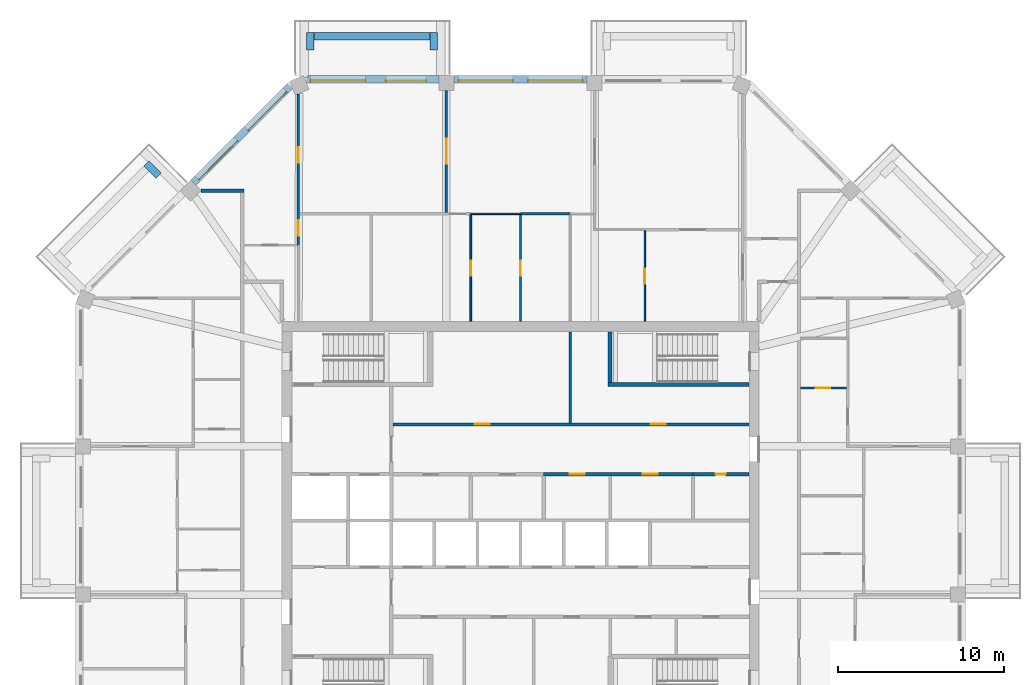
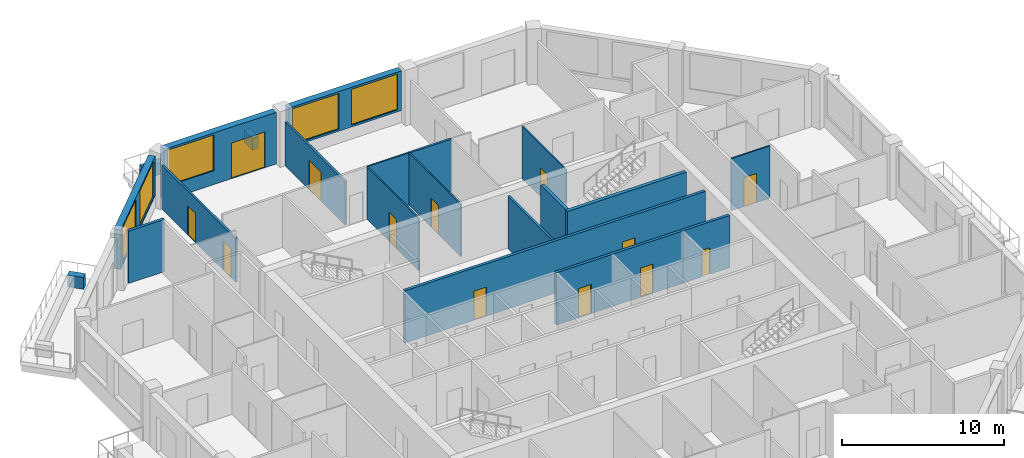
# One storey, part 8 of 12: 22 walls, 13 doors, 5 windows, 18 openings.
"""IFC4 building model written with IfcOpenShell, lengths in metres."""

from ifc_helpers import new_model, si_unit, direction, frame, frame_2d, origin, place, context, subcontext, project, spatial, rectangle, extrude, material, layer, layer_set, type_object, element, fill, save


model = new_model("IFC4")

# Units and contexts
model_context = context("Model", 3, precision=1e-05, world=origin(), true_north=direction((0.0, 1.0)))
body_context = subcontext(model_context, "Body", "Model", "MODEL_VIEW")
ifc_project = project(units=[si_unit("LENGTHUNIT", "METRE"), si_unit("AREAUNIT", "SQUARE_METRE"), si_unit("VOLUMEUNIT", "CUBIC_METRE"), si_unit("PLANEANGLEUNIT", "RADIAN"), si_unit("MASSUNIT", "GRAM", prefix="KILO")], contexts=[model_context])

# Site, building, storey
site_placement = place(None, origin())
site = spatial("IfcSite", under=ifc_project, at=site_placement, CompositionType="ELEMENT")
building_placement = place(site_placement, origin())
building = spatial("IfcBuilding", under=site, at=building_placement, Name="Msitu Wima Residences", CompositionType="ELEMENT")
storey_placement = place(building_placement, frame((0.0, 0.0, 222.300048828125)))
storey = spatial("IfcBuildingStorey", under=building, at=storey_placement, Name="L51", CompositionType="ELEMENT", Elevation=222.300048828125)

# Walls
ifc_material_1 = material(Name="Facing brick")
ifc_layer_1 = layer(ifc_material_1, 0.06494140625, Name="Facing brick")
ifc_material_2 = material(Name="Concrete C40/50", Category="concrete")
ifc_layer_2 = layer(ifc_material_2, 0.156005859375, Name="Concrete C40/50")
ifc_material_3 = material(Name="Waterproofing membrane")
ifc_layer_3 = layer(ifc_material_3, 0.00390625, Name="Waterproofing membrane")
ifc_material_4 = material(Name="Planting soil and planting")
ifc_layer_4 = layer(ifc_material_4, 0.22509765625, Name="Planting soil and planting")
ifc_layer_set_1 = layer_set([ifc_layer_1, ifc_layer_2, ifc_layer_3, ifc_layer_4], Name="Concrete C40/50")
wall_type_1 = type_object("IfcWallType", Name="Balcony planter PLANTER PL450", PredefinedType="USERDEFINED", material=ifc_layer_set_1)
wall_1_placement = place(storey_placement, frame((-5.468505859375, 29.22509765625, 0.0), z_axis=(0.0, 0.0, 1.0), x_axis=(-1.0, 0.0, 0.0)))
element("IfcWall", 1, at=wall_1_placement, inside=storey, type_object=wall_type_1, Name="Balcony planter N2 L51", ObjectType="PLANTER", PredefinedType="USERDEFINED", context=body_context, shape_type="SweptSolid", body=[
    extrude(rectangle(XDim=6.9873046875, YDim=0.449951171875, at=frame_2d((3.49365234375, 0.0))), origin(), (0.0, 0.0, 1.0), 0.89990234375),
])
for number, where, z_axis, x_axis, name in (
    (2, (-5.24365234375, 28.39990234375, 0.0), (0.0, 0.0, 1.0), (0.0, 1.0, 0.0), "Balcony planter N2 L51"),
    (3, (-12.680908203125, 28.39990234375, 0.0), (0.0, 0.0, 1.0), (0.0, 1.0, 0.0), "Balcony planter N2 L51"),
    (4, (-21.829833984375, 20.804443359375, 0.0), (0.0, 0.0, 1.0), (-0.707106781187, 0.707106781187, 0.0), "Balcony planter NW1 L51"),
):
    element("IfcWall", number, at=place(storey_placement, frame(where, z_axis=z_axis, x_axis=x_axis)), inside=storey, type_object=wall_type_1, Name=name, ObjectType="PLANTER", PredefinedType="USERDEFINED", context=body_context, shape_type="SweptSolid", body=[
        extrude(rectangle(XDim=1.050048828125, YDim=0.449951171875, at=frame_2d((0.52490234375, 0.0))), origin(), (0.0, 0.0, 1.0), 0.89990234375),
    ])

# Wall, openings, windows
ifc_material_5 = material(Name="Brick (red buff mix)", Category="masonry")
ifc_layer_5 = layer(ifc_material_5, 0.449951171875)
ifc_layer_set_2 = layer_set([ifc_layer_5], Name="Brick (red buff mix)")
wall_type_2 = type_object("IfcWallType", Name="Brick infill wall BW450", PredefinedType="SOLIDWALL", material=ifc_layer_set_2)
wall_2_placement = place(storey_placement, frame((4.0185546875, 26.625, 0.89990234375), z_axis=(0.0, 0.0, 1.0), x_axis=(-1.0, 0.0, 0.0)))
wall_2 = element("IfcWall", 5, at=wall_2_placement, inside=storey, type_object=wall_type_2, Name="Brick infill wall L51 N1", PredefinedType="SOLIDWALL", context=body_context, shape_type="SweptSolid", body=[
    extrude(rectangle(XDim=8.037109375, YDim=0.449951171875, at=frame_2d((4.0185546875, 0.0))), origin(), (0.0, 0.0, 1.0), 3.0),
])
opening_1_placement = place(wall_2_placement, frame((0.2685546875, 0.0, 0.14990234375)))
opening_1 = element("IfcOpeningElement", 6, at=opening_1_placement, cuts=wall_2, Name="Opening W50-51.007", PredefinedType="OPENING", context=body_context, shape_type="SweptSolid", body=[
    extrude(rectangle(XDim=3.300048828125, YDim=2.699951171875, at=frame_2d((1.64990234375, 1.35009765625))), frame((0.0, 0.23486328125, 0.0), z_axis=(0.0, -1.0, 0.0), x_axis=(1.0, 0.0, 0.0)), (0.0, 0.0, 1.0), 0.469970703125),
])
opening_2_placement = place(wall_2_placement, frame((4.46875, 0.0, 0.14990234375)))
opening_2 = element("IfcOpeningElement", 7, at=opening_2_placement, cuts=wall_2, Name="Opening W50-51.008", PredefinedType="OPENING", context=body_context, shape_type="SweptSolid", body=[
    extrude(rectangle(XDim=3.300048828125, YDim=2.699951171875, at=frame_2d((1.64990234375, 1.35009765625))), frame((0.0, 0.23486328125, 0.0), z_axis=(0.0, -1.0, 0.0), x_axis=(1.0, 0.0, 0.0)), (0.0, 0.0, 1.0), 0.469970703125),
])
ifc_material_6 = material(Name="Anodised aluminium, bronze finish, clear low-emissivity double glazing", Category="aluminium")
window_type = type_object("IfcWindowType", Name="Window W3300x2700", PartitioningType="DOUBLE_PANEL_VERTICAL", PredefinedType="WINDOW", material=ifc_material_6)
window_1_placement = place(opening_1_placement, origin())
window_1 = element("IfcWindow", 8, at=window_1_placement, inside=storey, type_object=window_type, Name="Window L51 N1.1", OverallHeight=2.699951171875, OverallWidth=3.300048828125, PartitioningType="SINGLE_PANEL", PredefinedType="WINDOW", context=body_context, shape_type="SweptSolid", body=[
    extrude(rectangle(XDim=3.300048828125, YDim=2.699951171875, at=frame_2d((1.64990234375, 1.35009765625))), frame((0.0, 0.135009765625, 0.0), z_axis=(0.0, -1.0, 0.0), x_axis=(1.0, 0.0, 0.0)), (0.0, 0.0, 1.0), 0.06005859375),
])
fill(opening_1, window_1)
window_2_placement = place(opening_2_placement, origin())
window_2 = element("IfcWindow", 9, at=window_2_placement, inside=storey, type_object=window_type, Name="Window L51 N1.2", OverallHeight=2.699951171875, OverallWidth=3.300048828125, PartitioningType="SINGLE_PANEL", PredefinedType="WINDOW", context=body_context, shape_type="SweptSolid", body=[
    extrude(rectangle(XDim=3.300048828125, YDim=2.699951171875, at=frame_2d((1.64990234375, 1.35009765625))), frame((0.0, 0.135009765625, 0.0), z_axis=(0.0, -1.0, 0.0), x_axis=(1.0, 0.0, 0.0)), (0.0, 0.0, 1.0), 0.06005859375),
])
fill(opening_2, window_2)

# Wall, openings, door, window
wall_3_placement = place(storey_placement, frame((-4.918701171875, 26.625, 0.0), z_axis=(0.0, 0.0, 1.0), x_axis=(-1.0, 0.0, 0.0)))
wall_3 = element("IfcWall", 10, at=wall_3_placement, inside=storey, type_object=wall_type_2, Name="Brick infill wall L51 N2", PredefinedType="SOLIDWALL", context=body_context, shape_type="SweptSolid", body=[
    extrude(rectangle(XDim=8.0, YDim=0.449951171875, at=frame_2d((4.0, 0.0))), origin(), (0.0, 0.0, 1.0), 3.89990234375),
])
opening_3_placement = place(wall_3_placement, frame((0.800048828125, 0.0, 0.0)))
opening_3 = element("IfcOpeningElement", 11, at=opening_3_placement, cuts=wall_3, Name="Opening D50-51.003", PredefinedType="OPENING", context=body_context, shape_type="SweptSolid", body=[
    extrude(rectangle(XDim=2.39990234375, YDim=2.699951171875, at=frame_2d((1.199951171875, 1.35009765625))), frame((0.0, 0.23486328125, 0.0), z_axis=(0.0, -1.0, 0.0), x_axis=(1.0, 0.0, 0.0)), (0.0, 0.0, 1.0), 0.469970703125),
])
opening_4_placement = place(wall_3_placement, frame((4.4501953125, 0.0, 1.050048828125)))
opening_4 = element("IfcOpeningElement", 12, at=opening_4_placement, cuts=wall_3, Name="Opening W50-51.009", PredefinedType="OPENING", context=body_context, shape_type="SweptSolid", body=[
    extrude(rectangle(XDim=3.300048828125, YDim=2.699951171875, at=frame_2d((1.64990234375, 1.35009765625))), frame((0.0, 0.23486328125, 0.0), z_axis=(0.0, -1.0, 0.0), x_axis=(1.0, 0.0, 0.0)), (0.0, 0.0, 1.0), 0.469970703125),
])
door_type_1 = type_object("IfcDoorType", Name="Balcony door D2400x2700", OperationType="SLIDING_TO_LEFT", PredefinedType="DOOR", material=ifc_material_6)
door_1_placement = place(opening_3_placement, origin())
door_1 = element("IfcDoor", 13, at=door_1_placement, inside=storey, type_object=door_type_1, Name="Balcony door L51 N2", OperationType="SINGLE_SWING_LEFT", OverallHeight=2.699951171875, OverallWidth=2.39990234375, PredefinedType="DOOR", context=body_context, shape_type="SweptSolid", body=[
    extrude(rectangle(XDim=2.39990234375, YDim=2.699951171875, at=frame_2d((1.199951171875, 1.35009765625))), frame((0.0, 0.1298828125, 0.0), z_axis=(0.0, -1.0, 0.0), x_axis=(1.0, 0.0, 0.0)), (0.0, 0.0, 1.0), 0.050048828125),
])
fill(opening_3, door_1)
window_3_placement = place(opening_4_placement, origin())
window_3 = element("IfcWindow", 14, at=window_3_placement, inside=storey, type_object=window_type, Name="Window L51 N2.2", OverallHeight=2.699951171875, OverallWidth=3.300048828125, PartitioningType="SINGLE_PANEL", PredefinedType="WINDOW", context=body_context, shape_type="SweptSolid", body=[
    extrude(rectangle(XDim=3.300048828125, YDim=2.699951171875, at=frame_2d((1.64990234375, 1.35009765625))), frame((0.0, 0.135009765625, 0.0), z_axis=(0.0, -1.0, 0.0), x_axis=(1.0, 0.0, 0.0)), (0.0, 0.0, 1.0), 0.06005859375),
])
fill(opening_4, window_3)

# Wall, openings, windows
wall_4_placement = place(storey_placement, frame((-13.909423828125, 26.214599609375, 0.89990234375), z_axis=(0.0, 0.0, 1.0), x_axis=(-0.707106781187, -0.707106781187, 0.0)))
wall_4 = element("IfcWall", 15, at=wall_4_placement, inside=storey, type_object=wall_type_2, Name="Brick infill wall L51 NW0", PredefinedType="SOLIDWALL", context=body_context, shape_type="SweptSolid", body=[
    extrude(rectangle(XDim=8.251220703125, YDim=0.449951171875, at=frame_2d((4.12548828125, 0.0))), origin(), (0.0, 0.0, 1.0), 3.0),
])
opening_5_placement = place(wall_4_placement, frame((0.37548828125, 0.0, 0.14990234375)))
opening_5 = element("IfcOpeningElement", 16, at=opening_5_placement, cuts=wall_4, Name="Opening W50-51.013", PredefinedType="OPENING", context=body_context, shape_type="SweptSolid", body=[
    extrude(rectangle(XDim=3.300048828125, YDim=2.699951171875, at=frame_2d((1.64990234375, 1.35009765625))), frame((0.0, 0.23486328125, 0.0), z_axis=(0.0, -1.0, 0.0), x_axis=(1.0, 0.0, 0.0)), (0.0, 0.0, 1.0), 0.469970703125),
])
opening_6_placement = place(wall_4_placement, frame((4.57568359375, 0.0, 0.14990234375)))
opening_6 = element("IfcOpeningElement", 17, at=opening_6_placement, cuts=wall_4, Name="Opening W50-51.014", PredefinedType="OPENING", context=body_context, shape_type="SweptSolid", body=[
    extrude(rectangle(XDim=3.300048828125, YDim=2.699951171875, at=frame_2d((1.64990234375, 1.35009765625))), frame((0.0, 0.23486328125, 0.0), z_axis=(0.0, -1.0, 0.0), x_axis=(1.0, 0.0, 0.0)), (0.0, 0.0, 1.0), 0.469970703125),
])
window_4_placement = place(opening_5_placement, origin())
window_4 = element("IfcWindow", 18, at=window_4_placement, inside=storey, type_object=window_type, Name="Window L51 NW0.1", OverallHeight=2.699951171875, OverallWidth=3.300048828125, PartitioningType="SINGLE_PANEL", PredefinedType="WINDOW", context=body_context, shape_type="SweptSolid", body=[
    extrude(rectangle(XDim=3.300048828125, YDim=2.699951171875, at=frame_2d((1.64990234375, 1.35009765625))), frame((0.0, 0.135009765625, 0.0), z_axis=(0.0, -1.0, 0.0), x_axis=(1.0, 0.0, 0.0)), (0.0, 0.0, 1.0), 0.06005859375),
])
fill(opening_5, window_4)
window_5_placement = place(opening_6_placement, origin())
window_5 = element("IfcWindow", 19, at=window_5_placement, inside=storey, type_object=window_type, Name="Window L51 NW0.2", OverallHeight=2.699951171875, OverallWidth=3.300048828125, PartitioningType="SINGLE_PANEL", PredefinedType="WINDOW", context=body_context, shape_type="SweptSolid", body=[
    extrude(rectangle(XDim=3.300048828125, YDim=2.699951171875, at=frame_2d((1.64990234375, 1.35009765625))), frame((0.0, 0.135009765625, 0.0), z_axis=(0.0, -1.0, 0.0), x_axis=(1.0, 0.0, 0.0)), (0.0, 0.0, 1.0), 0.06005859375),
])
fill(opening_6, window_5)

# Wall, openings, doors
ifc_material_7 = material(Name="Plaster")
ifc_layer_6 = layer(ifc_material_7, 0.011962890625, Name="Plaster")
ifc_material_8 = material(Name="Concrete blockwork", Category="masonry")
ifc_layer_7 = layer(ifc_material_8, 0.176025390625, Name="Concrete blockwork")
ifc_layer_8 = layer(ifc_material_7, 0.011962890625, Name="Plaster")
ifc_layer_set_3 = layer_set([ifc_layer_6, ifc_layer_7, ifc_layer_8], Name="Concrete blockwork")
wall_type_3 = type_object("IfcWallType", Name="Corridor wall FW200", PredefinedType="PARTITIONING", material=ifc_layer_set_3)
wall_5_placement = place(storey_placement, frame((-7.699951171875, 5.800048828125, 0.0), z_axis=(0.0, 0.0, 1.0), x_axis=(1.0, 0.0, 0.0)))
wall_5 = element("IfcWall", 20, at=wall_5_placement, inside=storey, type_object=wall_type_3, Name="Corridor wall", PredefinedType="PARTITIONING", context=body_context, shape_type="SweptSolid", body=[
    extrude(rectangle(XDim=21.469970703125, YDim=0.199951171875, at=frame_2d((10.73486328125, 0.0))), origin(), (0.0, 0.0, 1.0), 3.949951171875),
])
opening_7_placement = place(wall_5_placement, frame((4.949951171875, 0.0, 0.0)))
opening_7 = element("IfcOpeningElement", 21, at=opening_7_placement, cuts=wall_5, Name="Opening D50-51.065", PredefinedType="OPENING", context=body_context, shape_type="SweptSolid", body=[
    extrude(rectangle(XDim=0.89990234375, YDim=2.199951171875, at=frame_2d((0.449951171875, 1.10009765625))), frame((0.0, 0.10986328125, 0.0), z_axis=(0.0, -1.0, 0.0), x_axis=(1.0, 0.0, 0.0)), (0.0, 0.0, 1.0), 0.219970703125),
])
opening_8_placement = place(wall_5_placement, frame((15.550048828125, 0.0, 0.0)))
opening_8 = element("IfcOpeningElement", 22, at=opening_8_placement, cuts=wall_5, Name="Opening D50-51.066", PredefinedType="OPENING", context=body_context, shape_type="SweptSolid", body=[
    extrude(rectangle(XDim=0.89990234375, YDim=2.199951171875, at=frame_2d((0.449951171875, 1.10009765625))), frame((0.0, 0.10986328125, 0.0), z_axis=(0.0, -1.0, 0.0), x_axis=(1.0, 0.0, 0.0)), (0.0, 0.0, 1.0), 0.219970703125),
])
ifc_material_9 = material(Name="Timber flush door", Category="wood")
door_type_2 = type_object("IfcDoorType", Name="Service door D05 900x2200", OperationType="SINGLE_SWING_LEFT", PredefinedType="DOOR", material=ifc_material_9)
door_2_placement = place(opening_7_placement, origin())
door_2 = element("IfcDoor", 23, at=door_2_placement, inside=storey, type_object=door_type_2, Name="Service door", OperationType="SINGLE_SWING_LEFT", OverallHeight=2.199951171875, OverallWidth=0.89990234375, PredefinedType="DOOR", context=body_context, shape_type="SweptSolid", body=[
    extrude(rectangle(XDim=0.89990234375, YDim=2.199951171875, at=frame_2d((0.449951171875, 1.10009765625))), frame((0.0, 0.02490234375, 0.0), z_axis=(0.0, -1.0, 0.0), x_axis=(1.0, 0.0, 0.0)), (0.0, 0.0, 1.0), 0.050048828125),
])
fill(opening_7, door_2)
door_3_placement = place(opening_8_placement, origin())
door_3 = element("IfcDoor", 24, at=door_3_placement, inside=storey, type_object=door_type_2, Name="Service door", OperationType="SINGLE_SWING_RIGHT", OverallHeight=2.199951171875, OverallWidth=0.89990234375, PredefinedType="DOOR", context=body_context, shape_type="SweptSolid", body=[
    extrude(rectangle(XDim=0.89990234375, YDim=2.199951171875, at=frame_2d((0.449951171875, 1.10009765625))), frame((0.0, 0.02490234375, 0.0), z_axis=(0.0, -1.0, 0.0), x_axis=(1.0, 0.0, 0.0)), (0.0, 0.0, 1.0), 0.050048828125),
])
fill(opening_8, door_3)

wall_6_placement = place(storey_placement, frame((1.3798828125, 2.800048828125, 0.0), z_axis=(0.0, 0.0, 1.0), x_axis=(1.0, 0.0, 0.0)))
wall_6 = element("IfcWall", 25, at=wall_6_placement, inside=storey, type_object=wall_type_3, Name="Corridor wall", PredefinedType="PARTITIONING", context=body_context, shape_type="SweptSolid", body=[
    extrude(rectangle(XDim=9.0400390625, YDim=0.199951171875, at=frame_2d((4.52001953125, 0.0))), origin(), (0.0, 0.0, 1.0), 3.949951171875),
])
opening_9_placement = place(wall_6_placement, frame((1.60009765625, 0.0, 0.0)))
opening_9 = element("IfcOpeningElement", 26, at=opening_9_placement, cuts=wall_6, Name="Opening D50-51.076", PredefinedType="OPENING", context=body_context, shape_type="SweptSolid", body=[
    extrude(rectangle(XDim=0.89990234375, YDim=2.199951171875, at=frame_2d((0.449951171875, 1.10009765625))), frame((0.0, 0.10986328125, 0.0), z_axis=(0.0, -1.0, 0.0), x_axis=(1.0, 0.0, 0.0)), (0.0, 0.0, 1.0), 0.219970703125),
])
opening_10_placement = place(wall_6_placement, frame((6.0, 0.0, 0.0)))
opening_10 = element("IfcOpeningElement", 27, at=opening_10_placement, cuts=wall_6, Name="Opening D50-51.077", PredefinedType="OPENING", context=body_context, shape_type="SweptSolid", body=[
    extrude(rectangle(XDim=0.89990234375, YDim=2.199951171875, at=frame_2d((0.449951171875, 1.10009765625))), frame((0.0, 0.10986328125, 0.0), z_axis=(0.0, -1.0, 0.0), x_axis=(1.0, 0.0, 0.0)), (0.0, 0.0, 1.0), 0.219970703125),
])
door_4_placement = place(opening_9_placement, origin())
door_4 = element("IfcDoor", 28, at=door_4_placement, inside=storey, type_object=door_type_2, Name="Service door", OperationType="SINGLE_SWING_LEFT", OverallHeight=2.199951171875, OverallWidth=0.89990234375, PredefinedType="DOOR", context=body_context, shape_type="SweptSolid", body=[
    extrude(rectangle(XDim=0.89990234375, YDim=2.199951171875, at=frame_2d((0.449951171875, 1.10009765625))), frame((0.0, 0.02490234375, 0.0), z_axis=(0.0, -1.0, 0.0), x_axis=(1.0, 0.0, 0.0)), (0.0, 0.0, 1.0), 0.050048828125),
])
fill(opening_9, door_4)
door_5_placement = place(opening_10_placement, origin())
door_5 = element("IfcDoor", 29, at=door_5_placement, inside=storey, type_object=door_type_2, Name="Service door", OperationType="SINGLE_SWING_RIGHT", OverallHeight=2.199951171875, OverallWidth=0.89990234375, PredefinedType="DOOR", context=body_context, shape_type="SweptSolid", body=[
    extrude(rectangle(XDim=0.89990234375, YDim=2.199951171875, at=frame_2d((0.449951171875, 1.10009765625))), frame((0.0, 0.02490234375, 0.0), z_axis=(0.0, -1.0, 0.0), x_axis=(1.0, 0.0, 0.0)), (0.0, 0.0, 1.0), 0.050048828125),
])
fill(opening_10, door_5)

ifc_layer_9 = layer(ifc_material_7, 0.011962890625, Name="Plaster")
ifc_layer_10 = layer(ifc_material_8, 0.1259765625, Name="Concrete blockwork")
ifc_layer_11 = layer(ifc_material_7, 0.011962890625, Name="Plaster")
ifc_layer_set_4 = layer_set([ifc_layer_9, ifc_layer_10, ifc_layer_11], Name="Concrete blockwork")
wall_type_4 = type_object("IfcWallType", Name="Partition PW150", PredefinedType="PARTITIONING", material=ifc_layer_set_4)
wall_7_placement = place(storey_placement, frame((-13.406005859375, 25.731201171875, 0.0), z_axis=(0.0, 0.0, 1.0), x_axis=(0.0, -1.0, 0.0)))
wall_7 = element("IfcWall", 30, at=wall_7_placement, inside=storey, type_object=wall_type_4, Name="Partition", PredefinedType="PARTITIONING", context=body_context, shape_type="SweptSolid", body=[
    extrude(rectangle(XDim=9.131103515625, YDim=0.14990234375, at=frame_2d((4.5654296875, 0.0))), origin(), (0.0, 0.0, 1.0), 3.300048828125),
])
opening_11_placement = place(wall_7_placement, frame((3.199951171875, 0.0, 0.0)))
opening_11 = element("IfcOpeningElement", 31, at=opening_11_placement, cuts=wall_7, Name="Opening D50-51.024", PredefinedType="OPENING", context=body_context, shape_type="SweptSolid", body=[
    extrude(rectangle(XDim=0.949951171875, YDim=2.199951171875, at=frame_2d((0.47509765625, 1.10009765625))), frame((0.0, 0.0849609375, 0.0), z_axis=(0.0, -1.0, 0.0), x_axis=(1.0, 0.0, 0.0)), (0.0, 0.0, 1.0), 0.169921875),
])
opening_12_placement = place(wall_7_placement, frame((7.60009765625, 0.0, 0.0)))
opening_12 = element("IfcOpeningElement", 32, at=opening_12_placement, cuts=wall_7, Name="Opening D50-51.025", PredefinedType="OPENING", context=body_context, shape_type="SweptSolid", body=[
    extrude(rectangle(XDim=0.949951171875, YDim=2.199951171875, at=frame_2d((0.47509765625, 1.10009765625))), frame((0.0, 0.0849609375, 0.0), z_axis=(0.0, -1.0, 0.0), x_axis=(1.0, 0.0, 0.0)), (0.0, 0.0, 1.0), 0.169921875),
])
door_type_3 = type_object("IfcDoorType", Name="Room door D12 950x2200", OperationType="SINGLE_SWING_LEFT", PredefinedType="DOOR", material=ifc_material_9)
door_6_placement = place(opening_11_placement, origin())
door_6 = element("IfcDoor", 33, at=door_6_placement, inside=storey, type_object=door_type_3, Name="Room door", OperationType="SINGLE_SWING_LEFT", OverallHeight=2.199951171875, OverallWidth=0.949951171875, PredefinedType="DOOR", context=body_context, shape_type="SweptSolid", body=[
    extrude(rectangle(XDim=0.949951171875, YDim=2.199951171875, at=frame_2d((0.47509765625, 1.10009765625))), frame((0.0, 0.02490234375, 0.0), z_axis=(0.0, -1.0, 0.0), x_axis=(1.0, 0.0, 0.0)), (0.0, 0.0, 1.0), 0.050048828125),
])
fill(opening_11, door_6)
door_7_placement = place(opening_12_placement, origin())
door_7 = element("IfcDoor", 34, at=door_7_placement, inside=storey, type_object=door_type_3, Name="Room door", OperationType="SINGLE_SWING_LEFT", OverallHeight=2.199951171875, OverallWidth=0.949951171875, PredefinedType="DOOR", context=body_context, shape_type="SweptSolid", body=[
    extrude(rectangle(XDim=0.949951171875, YDim=2.199951171875, at=frame_2d((0.47509765625, 1.10009765625))), frame((0.0, 0.02490234375, 0.0), z_axis=(0.0, -1.0, 0.0), x_axis=(1.0, 0.0, 0.0)), (0.0, 0.0, 1.0), 0.050048828125),
])
fill(opening_12, door_7)

# Wall, opening, door
wall_8_placement = place(storey_placement, frame((-4.46875, 18.574951171875, 0.0), z_axis=(0.0, 0.0, 1.0), x_axis=(0.0, 1.0, 0.0)))
wall_8 = element("IfcWall", 35, at=wall_8_placement, inside=storey, type_object=wall_type_4, Name="Partition", PredefinedType="PARTITIONING", context=body_context, shape_type="SweptSolid", body=[
    extrude(rectangle(XDim=7.375, YDim=0.14990234375, at=frame_2d((3.6875, 0.0))), origin(), (0.0, 0.0, 1.0), 3.300048828125),
])
opening_13_placement = place(wall_8_placement, frame((2.949951171875, 0.0, 0.0)))
opening_13 = element("IfcOpeningElement", 36, at=opening_13_placement, cuts=wall_8, Name="Opening D50-51.034", PredefinedType="OPENING", context=body_context, shape_type="SweptSolid", body=[
    extrude(rectangle(XDim=1.5, YDim=2.199951171875, at=frame_2d((0.75, 1.10009765625))), frame((0.0, 0.0849609375, 0.0), z_axis=(0.0, -1.0, 0.0), x_axis=(1.0, 0.0, 0.0)), (0.0, 0.0, 1.0), 0.169921875),
])
ifc_material_10 = material(Name="Timber double door", Category="wood")
door_type_4 = type_object("IfcDoorType", Name="Double door D04 1500x2200", OperationType="DOUBLE_DOOR_SINGLE_SWING", PredefinedType="DOOR", material=ifc_material_10)
door_8_placement = place(opening_13_placement, origin())
door_8 = element("IfcDoor", 37, at=door_8_placement, inside=storey, type_object=door_type_4, Name="Double door", OperationType="DOUBLE_DOOR_SINGLE_SWING", OverallHeight=2.199951171875, OverallWidth=1.5, PredefinedType="DOOR", context=body_context, shape_type="SweptSolid", body=[
    extrude(rectangle(XDim=1.5, YDim=2.199951171875, at=frame_2d((0.75, 1.10009765625))), frame((0.0, 0.02490234375, 0.0), z_axis=(0.0, -1.0, 0.0), x_axis=(1.0, 0.0, 0.0)), (0.0, 0.0, 1.0), 0.050048828125),
])
fill(opening_13, door_8)

# Walls
wall_9_placement = place(storey_placement, frame((0.0, 18.5, 0.0), z_axis=(0.0, 0.0, 1.0), x_axis=(1.0, 0.0, 0.0)))
element("IfcWall", 38, at=wall_9_placement, inside=storey, type_object=wall_type_4, Name="Partition", PredefinedType="PARTITIONING", context=body_context, shape_type="SweptSolid", body=[
    extrude(rectangle(XDim=3.0, YDim=0.14990234375, at=frame_2d((1.5, 0.0))), origin(), (0.0, 0.0, 1.0), 3.949951171875),
])
wall_10_placement = place(storey_placement, frame((3.0, 5.89990234375, 0.0), z_axis=(0.0, 0.0, 1.0), x_axis=(0.0, 1.0, 0.0)))
element("IfcWall", 39, at=wall_10_placement, inside=storey, type_object=wall_type_4, Name="Partition", PredefinedType="PARTITIONING", context=body_context, shape_type="SweptSolid", body=[
    extrude(rectangle(XDim=5.47021484375, YDim=0.14990234375, at=frame_2d((2.735107421875, 0.0))), origin(), (0.0, 0.0, 1.0), 3.949951171875),
])
ifc_layer_12 = layer(ifc_material_7, 0.011962890625, Name="Plaster")
ifc_material_11 = material(Name="Dense concrete blockwork", Category="masonry")
ifc_layer_13 = layer(ifc_material_11, 0.176025390625, Name="Dense concrete blockwork")
ifc_layer_14 = layer(ifc_material_7, 0.011962890625, Name="Plaster")
ifc_layer_set_5 = layer_set([ifc_layer_12, ifc_layer_13, ifc_layer_14], Name="Dense concrete blockwork")
wall_type_5 = type_object("IfcWallType", Name="Party wall PW200", PredefinedType="PARTITIONING", material=ifc_layer_set_5)
wall_11_placement = place(storey_placement, frame((-19.2666015625, 19.90283203125, 0.0), z_axis=(0.0, 0.0, 1.0), x_axis=(1.0, 0.0, 0.0)))
element("IfcWall", 40, at=wall_11_placement, inside=storey, type_object=wall_type_5, Name="Party wall", PredefinedType="PARTITIONING", context=body_context, shape_type="SweptSolid", body=[
    extrude(rectangle(XDim=2.566650390625, YDim=0.199951171875, at=frame_2d((1.283203125, 0.0))), origin(), (0.0, 0.0, 1.0), 3.949951171875),
])

# Wall, opening, door
ifc_layer_15 = layer(ifc_material_7, 0.011962890625, Name="Plaster")
ifc_material_12 = material(Name="Reinforced concrete blockwork", Category="masonry")
ifc_layer_16 = layer(ifc_material_12, 0.176025390625, Name="Reinforced concrete blockwork")
ifc_layer_17 = layer(ifc_material_7, 0.011962890625, Name="Plaster")
ifc_layer_set_6 = layer_set([ifc_layer_15, ifc_layer_16, ifc_layer_17], Name="Reinforced concrete blockwork")
wall_type_6 = type_object("IfcWallType", Name="Plant and riser wall PL200", PredefinedType="PARTITIONING", material=ifc_layer_set_6)
wall_12_placement = place(storey_placement, frame((10.419921875, 2.800048828125, 0.0), z_axis=(0.0, 0.0, 1.0), x_axis=(1.0, 0.0, 0.0)))
wall_12 = element("IfcWall", 41, at=wall_12_placement, inside=storey, type_object=wall_type_6, Name="Plant and riser wall", PredefinedType="PARTITIONING", context=body_context, shape_type="SweptSolid", body=[
    extrude(rectangle(XDim=3.35009765625, YDim=0.199951171875, at=frame_2d((1.675048828125, 0.0))), origin(), (0.0, 0.0, 1.0), 3.949951171875),
])
opening_14_placement = place(wall_12_placement, frame((1.35009765625, 0.0, 0.0)))
opening_14 = element("IfcOpeningElement", 42, at=opening_14_placement, cuts=wall_12, Name="Opening D50-51.078", PredefinedType="OPENING", context=body_context, shape_type="SweptSolid", body=[
    extrude(rectangle(XDim=0.60009765625, YDim=2.0, at=frame_2d((0.300048828125, 1.0))), frame((0.0, 0.10986328125, 0.0), z_axis=(0.0, -1.0, 0.0), x_axis=(1.0, 0.0, 0.0)), (0.0, 0.0, 1.0), 0.219970703125),
])
ifc_material_13 = material(Name="Steel access door, fire resisting", Category="steel")
door_type_5 = type_object("IfcDoorType", Name="Riser access door D08 600x2000", OperationType="SINGLE_SWING_LEFT", PredefinedType="DOOR", material=ifc_material_13)
door_9_placement = place(opening_14_placement, origin())
door_9 = element("IfcDoor", 43, at=door_9_placement, inside=storey, type_object=door_type_5, Name="Riser access door", OperationType="SINGLE_SWING_RIGHT", OverallHeight=2.0, OverallWidth=0.60009765625, PredefinedType="DOOR", context=body_context, shape_type="SweptSolid", body=[
    extrude(rectangle(XDim=0.60009765625, YDim=2.0, at=frame_2d((0.300048828125, 1.0))), frame((0.0, 0.02490234375, 0.0), z_axis=(0.0, -1.0, 0.0), x_axis=(1.0, 0.0, 0.0)), (0.0, 0.0, 1.0), 0.050048828125),
])
fill(opening_14, door_9)

# Walls
ifc_material_14 = material(Name="Concrete C50/60", Category="concrete")
ifc_layer_18 = layer(ifc_material_14, 0.25)
ifc_layer_set_7 = layer_set([ifc_layer_18], Name="Concrete C50/60")
wall_type_7 = type_object("IfcWallType", Name="Stair enclosure wall SW250", PredefinedType="SHEAR", material=ifc_layer_set_7)
wall_13_placement = place(storey_placement, frame((5.39990234375, 8.324951171875, 0.0), z_axis=(0.0, 0.0, 1.0), x_axis=(0.0, 1.0, 0.0)))
element("IfcWall", 44, at=wall_13_placement, inside=storey, type_object=wall_type_7, Name="Stair enclosure wall", PredefinedType="SHEAR", context=body_context, shape_type="SweptSolid", body=[
    extrude(rectangle(XDim=3.045166015625, YDim=0.25, at=frame_2d((1.5224609375, 0.0))), origin(), (0.0, 0.0, 1.0), 3.949951171875),
])
wall_14_placement = place(storey_placement, frame((5.27490234375, 8.199951171875, 0.0), z_axis=(0.0, 0.0, 1.0), x_axis=(1.0, 0.0, 0.0)))
element("IfcWall", 45, at=wall_14_placement, inside=storey, type_object=wall_type_7, Name="Stair enclosure wall", PredefinedType="SHEAR", context=body_context, shape_type="SweptSolid", body=[
    extrude(rectangle(XDim=8.4951171875, YDim=0.25, at=frame_2d((4.24755859375, 0.0))), origin(), (0.0, 0.0, 1.0), 3.949951171875),
])
ifc_material_15 = material(Name="Ceramic tiles")
ifc_layer_19 = layer(ifc_material_15, 0.008056640625, Name="Ceramic tiles")
ifc_material_16 = material(Name="Moisture-resistant board")
ifc_layer_20 = layer(ifc_material_16, 0.012451171875, Name="Moisture-resistant board")
ifc_material_17 = material(Name="Light-gauge stud framing with mineral wool")
ifc_layer_21 = layer(ifc_material_17, 0.06689453125, Name="Light-gauge stud framing with mineral wool")
ifc_layer_22 = layer(ifc_material_16, 0.012451171875, Name="Moisture-resistant board")
ifc_layer_set_8 = layer_set([ifc_layer_19, ifc_layer_20, ifc_layer_21, ifc_layer_22], Name="Light-gauge stud framing with mineral wool")
wall_type_8 = type_object("IfcWallType", Name="Wet wall PW100", PredefinedType="PARTITIONING", material=ifc_layer_set_8)
wall_15_placement = place(storey_placement, frame((-3.0, 18.5, 0.0), z_axis=(0.0, 0.0, 1.0), x_axis=(1.0, 0.0, 0.0)))
element("IfcWall", 46, at=wall_15_placement, inside=storey, type_object=wall_type_8, Name="Wet wall", PredefinedType="PARTITIONING", context=body_context, shape_type="SweptSolid", body=[
    extrude(rectangle(XDim=3.0, YDim=0.10009765625, at=frame_2d((1.5, 0.0))), origin(), (0.0, 0.0, 1.0), 3.949951171875),
])

# Wall, opening, door
wall_16_placement = place(storey_placement, frame((-3.0, 12.030029296875, 0.0), z_axis=(0.0, 0.0, 1.0), x_axis=(0.0, 1.0, 0.0)))
wall_16 = element("IfcWall", 47, at=wall_16_placement, inside=storey, type_object=wall_type_8, Name="Wet wall", PredefinedType="PARTITIONING", context=body_context, shape_type="SweptSolid", body=[
    extrude(rectangle(XDim=6.419921875, YDim=0.10009765625, at=frame_2d((3.2099609375, 0.0))), origin(), (0.0, 0.0, 1.0), 3.949951171875),
])
opening_15_placement = place(wall_16_placement, frame((2.75, 0.0, 0.0)))
opening_15 = element("IfcOpeningElement", 48, at=opening_15_placement, cuts=wall_16, Name="Opening D50-51.032", PredefinedType="OPENING", context=body_context, shape_type="SweptSolid", body=[
    extrude(rectangle(XDim=0.89990234375, YDim=2.199951171875, at=frame_2d((0.449951171875, 1.10009765625))), frame((0.0, 0.06005859375, 0.0), z_axis=(0.0, -1.0, 0.0), x_axis=(1.0, 0.0, 0.0)), (0.0, 0.0, 1.0), 0.1201171875),
])
door_10_placement = place(opening_15_placement, origin())
door_10 = element("IfcDoor", 49, at=door_10_placement, inside=storey, type_object=door_type_2, Name="Service door", OperationType="SINGLE_SWING_RIGHT", OverallHeight=2.199951171875, OverallWidth=0.89990234375, PredefinedType="DOOR", context=body_context, shape_type="SweptSolid", body=[
    extrude(rectangle(XDim=0.89990234375, YDim=2.199951171875, at=frame_2d((0.449951171875, 1.10009765625))), frame((0.0, 0.02490234375, 0.0), z_axis=(0.0, -1.0, 0.0), x_axis=(1.0, 0.0, 0.0)), (0.0, 0.0, 1.0), 0.050048828125),
])
fill(opening_15, door_10)

wall_17_placement = place(storey_placement, frame((0.0, 12.030029296875, 0.0), z_axis=(0.0, 0.0, 1.0), x_axis=(0.0, 1.0, 0.0)))
wall_17 = element("IfcWall", 50, at=wall_17_placement, inside=storey, type_object=wall_type_8, Name="Wet wall", PredefinedType="PARTITIONING", context=body_context, shape_type="SweptSolid", body=[
    extrude(rectangle(XDim=6.39501953125, YDim=0.10009765625, at=frame_2d((3.197509765625, 0.0))), origin(), (0.0, 0.0, 1.0), 3.949951171875),
])
opening_16_placement = place(wall_17_placement, frame((2.75, 0.0, 0.0)))
opening_16 = element("IfcOpeningElement", 51, at=opening_16_placement, cuts=wall_17, Name="Opening D50-51.033", PredefinedType="OPENING", context=body_context, shape_type="SweptSolid", body=[
    extrude(rectangle(XDim=0.89990234375, YDim=2.199951171875, at=frame_2d((0.449951171875, 1.10009765625))), frame((0.0, 0.06005859375, 0.0), z_axis=(0.0, -1.0, 0.0), x_axis=(1.0, 0.0, 0.0)), (0.0, 0.0, 1.0), 0.1201171875),
])
door_11_placement = place(opening_16_placement, origin())
door_11 = element("IfcDoor", 52, at=door_11_placement, inside=storey, type_object=door_type_2, Name="Service door", OperationType="SINGLE_SWING_LEFT", OverallHeight=2.199951171875, OverallWidth=0.89990234375, PredefinedType="DOOR", context=body_context, shape_type="SweptSolid", body=[
    extrude(rectangle(XDim=0.89990234375, YDim=2.199951171875, at=frame_2d((0.449951171875, 1.10009765625))), frame((0.0, 0.02490234375, 0.0), z_axis=(0.0, -1.0, 0.0), x_axis=(1.0, 0.0, 0.0)), (0.0, 0.0, 1.0), 0.050048828125),
])
fill(opening_16, door_11)

wall_18_placement = place(storey_placement, frame((7.5, 12.030029296875, 0.0), z_axis=(0.0, 0.0, 1.0), x_axis=(0.0, 1.0, 0.0)))
wall_18 = element("IfcWall", 53, at=wall_18_placement, inside=storey, type_object=wall_type_8, Name="Wet wall", PredefinedType="PARTITIONING", context=body_context, shape_type="SweptSolid", body=[
    extrude(rectangle(XDim=5.445068359375, YDim=0.10009765625, at=frame_2d((2.72265625, 0.0))), origin(), (0.0, 0.0, 1.0), 3.949951171875),
])
opening_17_placement = place(wall_18_placement, frame((2.25, 0.0, 0.0)))
opening_17 = element("IfcOpeningElement", 54, at=opening_17_placement, cuts=wall_18, Name="Opening D50-51.029", PredefinedType="OPENING", context=body_context, shape_type="SweptSolid", body=[
    extrude(rectangle(XDim=0.89990234375, YDim=2.199951171875, at=frame_2d((0.449951171875, 1.10009765625))), frame((0.0, 0.06005859375, 0.0), z_axis=(0.0, -1.0, 0.0), x_axis=(1.0, 0.0, 0.0)), (0.0, 0.0, 1.0), 0.1201171875),
])
ifc_material_18 = material(Name="Timber flush door, moisture resistant", Category="wood")
door_type_6 = type_object("IfcDoorType", Name="Bathroom door D03 900x2200", OperationType="SINGLE_SWING_LEFT", PredefinedType="DOOR", material=ifc_material_18)
door_12_placement = place(opening_17_placement, origin())
door_12 = element("IfcDoor", 55, at=door_12_placement, inside=storey, type_object=door_type_6, Name="Bathroom door", OperationType="SINGLE_SWING_LEFT", OverallHeight=2.199951171875, OverallWidth=0.89990234375, PredefinedType="DOOR", context=body_context, shape_type="SweptSolid", body=[
    extrude(rectangle(XDim=0.89990234375, YDim=2.199951171875, at=frame_2d((0.449951171875, 1.10009765625))), frame((0.0, 0.02490234375, 0.0), z_axis=(0.0, -1.0, 0.0), x_axis=(1.0, 0.0, 0.0)), (0.0, 0.0, 1.0), 0.050048828125),
])
fill(opening_17, door_12)

wall_19_placement = place(storey_placement, frame((16.89990234375, 8.0, 0.0), z_axis=(0.0, 0.0, 1.0), x_axis=(1.0, 0.0, 0.0)))
wall_19 = element("IfcWall", 56, at=wall_19_placement, inside=storey, type_object=wall_type_8, Name="Wet wall", PredefinedType="PARTITIONING", context=body_context, shape_type="SweptSolid", body=[
    extrude(rectangle(XDim=2.775146484375, YDim=0.10009765625, at=frame_2d((1.3876953125, 0.0))), origin(), (0.0, 0.0, 1.0), 3.949951171875),
])
opening_18_placement = place(wall_19_placement, frame((0.89990234375, 0.0, 0.0)))
opening_18 = element("IfcOpeningElement", 57, at=opening_18_placement, cuts=wall_19, Name="Opening D50-51.021", PredefinedType="OPENING", context=body_context, shape_type="SweptSolid", body=[
    extrude(rectangle(XDim=0.89990234375, YDim=2.199951171875, at=frame_2d((0.449951171875, 1.10009765625))), frame((0.0, 0.06005859375, 0.0), z_axis=(0.0, -1.0, 0.0), x_axis=(1.0, 0.0, 0.0)), (0.0, 0.0, 1.0), 0.1201171875),
])
door_13_placement = place(opening_18_placement, origin())
door_13 = element("IfcDoor", 58, at=door_13_placement, inside=storey, type_object=door_type_2, Name="Service door", OperationType="SINGLE_SWING_RIGHT", OverallHeight=2.199951171875, OverallWidth=0.89990234375, PredefinedType="DOOR", context=body_context, shape_type="SweptSolid", body=[
    extrude(rectangle(XDim=0.89990234375, YDim=2.199951171875, at=frame_2d((0.449951171875, 1.10009765625))), frame((0.0, 0.02490234375, 0.0), z_axis=(0.0, -1.0, 0.0), x_axis=(1.0, 0.0, 0.0)), (0.0, 0.0, 1.0), 0.050048828125),
])
fill(opening_18, door_13)

save(model, "model.ifc")
